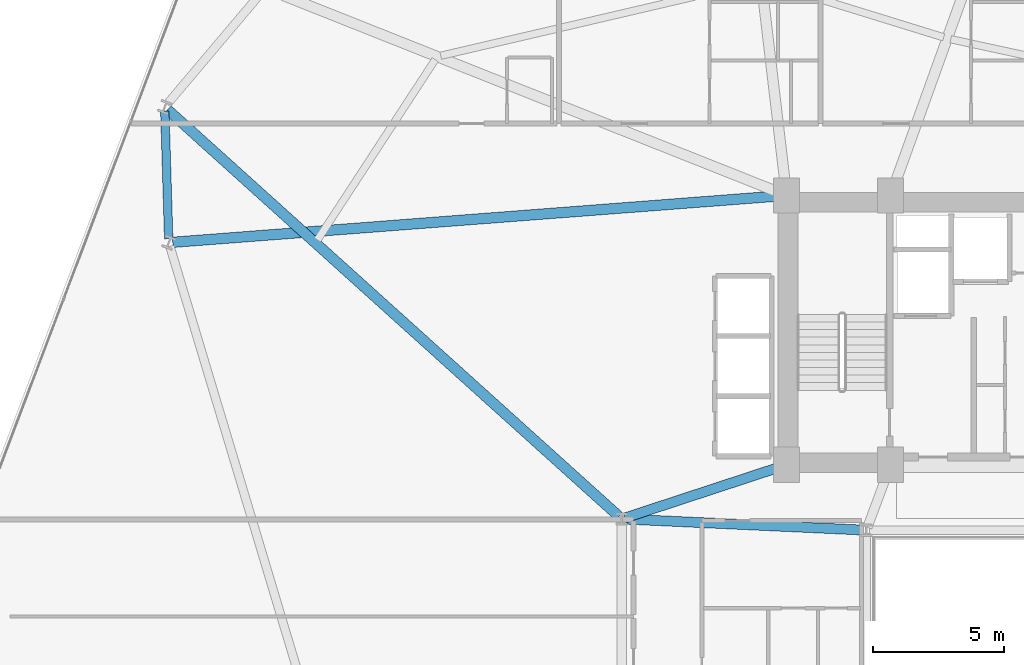
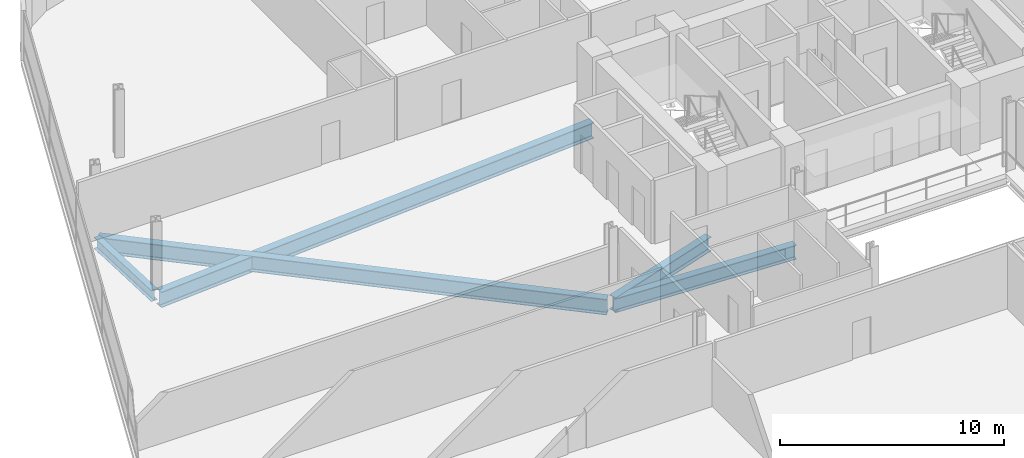
# One storey, part 7 of 24: 5 beams.
"""IFC4 building model written with IfcOpenShell, lengths in metres."""

from ifc_helpers import new_model, si_unit, direction, frame, origin, origin_2d, place, context, subcontext, project, spatial, i_section, extrude, material, material_profile, profile_set, type_object, element, save


model = new_model("IFC4")

# Units and contexts
model_context = context("Model", 3, precision=1e-05, world=origin(), true_north=direction((0.0, 1.0)))
body_context = subcontext(model_context, "Body", "Model", "MODEL_VIEW")
ifc_project = project(units=[si_unit("LENGTHUNIT", "METRE"), si_unit("AREAUNIT", "SQUARE_METRE"), si_unit("VOLUMEUNIT", "CUBIC_METRE"), si_unit("PLANEANGLEUNIT", "RADIAN"), si_unit("MASSUNIT", "GRAM", prefix="KILO")], contexts=[model_context])

# Site, building, storey
site_placement = place(None, origin())
site = spatial("IfcSite", under=ifc_project, at=site_placement, CompositionType="ELEMENT")
building_placement = place(site_placement, origin())
building = spatial("IfcBuilding", under=site, at=building_placement, Name="Varnelok Gate Tower", CompositionType="ELEMENT")
storey_placement = place(building_placement, frame((0.0, 0.0, 98.39990234375)))
storey = spatial("IfcBuildingStorey", under=building, at=storey_placement, Name="L24", CompositionType="ELEMENT", Elevation=98.39990234375)

# Beams
ifc_material = material(Name="Structural Steel ASTM A992 Grade 50", Category="steel")
ifc_material_profile_1 = material_profile(ifc_material, i_section(OverallWidth=0.381103515625, OverallDepth=0.77294921875, WebThickness=0.0166015625, FlangeThickness=0.027099609375, FilletRadius=0.02197265625, at=origin_2d()), Name="W30X173")
ifc_profile_set_1 = profile_set([ifc_material_profile_1], Name="Structural Steel ASTM A992 Grade 50")
beam_type_1 = type_object("IfcBeamType", Name="BM-PRI-W30X173", PredefinedType="BEAM", material=ifc_profile_set_1)
beam_1_placement = place(storey_placement, frame((24.52001953125, 26.674560546875, -0.636474609375), z_axis=(0.99894427814, -0.045938319209, 0.0), x_axis=(0.045938319209, 0.99894427814, 0.0)))
element("IfcBeam", 1, at=beam_1_placement, inside=storey, type_object=beam_type_1, Name="L24 Core-Atrium Spine Beam 15", PredefinedType="BEAM", context=body_context, shape_type="SweptSolid", body=[
    extrude(i_section(OverallWidth=0.381103515625, OverallDepth=0.77294921875, WebThickness=0.0166015625, FlangeThickness=0.027099609375, FilletRadius=0.02197265625, at=origin_2d()), origin(), (0.0, 0.0, 1.0), 9.11962890625),
])
beam_2_placement = place(storey_placement, frame((24.513916015625, 26.717529296875, -0.636474609375), z_axis=(0.950041943788, 0.312122259768, 0.0), x_axis=(-0.312122259768, 0.950041943788, 0.0)))
element("IfcBeam", 2, at=beam_2_placement, inside=storey, type_object=beam_type_1, Name="L24 Core-Atrium Spine Beam 17", PredefinedType="BEAM", context=body_context, shape_type="SweptSolid", body=[
    extrude(i_section(OverallWidth=0.381103515625, OverallDepth=0.77294921875, WebThickness=0.0166015625, FlangeThickness=0.027099609375, FilletRadius=0.02197265625, at=origin_2d()), origin(), (0.0, 0.0, 1.0), 6.391357421875),
])
ifc_material_profile_2 = material_profile(ifc_material, i_section(OverallWidth=0.39892578125, OverallDepth=0.85498046875, WebThickness=0.018310546875, FlangeThickness=0.029296875, FilletRadius=0.02392578125, at=origin_2d()), Name="W33X201")
ifc_profile_set_2 = profile_set([ifc_material_profile_2], Name="Structural Steel ASTM A992 Grade 50")
beam_type_2 = type_object("IfcBeamType", Name="BM-PRI-W33X201", PredefinedType="BEAM", material=ifc_profile_set_2)
beam_3_placement = place(storey_placement, frame((24.28857421875, 26.780517578125, -0.677490234375), z_axis=(-0.742906696972, 0.669394980258, 0.0), x_axis=(-0.669394980258, -0.742906696972, 0.0)))
element("IfcBeam", 3, at=beam_3_placement, inside=storey, type_object=beam_type_2, Name="L24 Radial Floor Girder 15", PredefinedType="BEAM", context=body_context, shape_type="SweptSolid", body=[
    extrude(i_section(OverallWidth=0.39892578125, OverallDepth=0.85498046875, WebThickness=0.018310546875, FlangeThickness=0.029296875, FilletRadius=0.02392578125, at=origin_2d()), origin(), (0.0, 0.0, 1.0), 23.224609375),
])
beam_4_placement = place(storey_placement, frame((30.55029296875, 39.03857421875, -0.677490234375), z_axis=(-0.997095422745, -0.076162444427, 0.0), x_axis=(0.076162444427, -0.997095422745, 0.0)))
element("IfcBeam", 4, at=beam_4_placement, inside=storey, type_object=beam_type_2, Name="L24 Radial Floor Girder 16", PredefinedType="BEAM", context=body_context, shape_type="SweptSolid", body=[
    extrude(i_section(OverallWidth=0.39892578125, OverallDepth=0.85498046875, WebThickness=0.018310546875, FlangeThickness=0.029296875, FilletRadius=0.02392578125, at=origin_2d()), origin(), (0.0, 0.0, 1.0), 23.387451171875),
])
ifc_material_profile_3 = material_profile(ifc_material, i_section(OverallWidth=0.323974609375, OverallDepth=0.611083984375, WebThickness=0.0126953125, FlangeThickness=0.01904296875, FilletRadius=0.01806640625, at=origin_2d()), Name="W24X104")
ifc_profile_set_3 = profile_set([ifc_material_profile_3], Name="Structural Steel ASTM A992 Grade 50")
beam_type_3 = type_object("IfcBeamType", Name="BM-SPN-W24X104", PredefinedType="SPANDREL", material=ifc_profile_set_3)
beam_5_placement = place(storey_placement, frame((6.927978515625, 42.277587890625, -0.555419921875), z_axis=(0.030393553869, -0.999538009224, 0.0), x_axis=(0.999538009224, 0.030393553869, 0.0)))
element("IfcBeam", 5, at=beam_5_placement, inside=storey, type_object=beam_type_3, Name="L24 Perimeter Spandrel Beam 15", PredefinedType="SPANDREL", context=body_context, shape_type="SweptSolid", body=[
    extrude(i_section(OverallWidth=0.323974609375, OverallDepth=0.611083984375, WebThickness=0.0126953125, FlangeThickness=0.01904296875, FilletRadius=0.01806640625, at=origin_2d()), origin(), (0.0, 0.0, 1.0), 4.8837890625),
])

save(model, "model.ifc")
